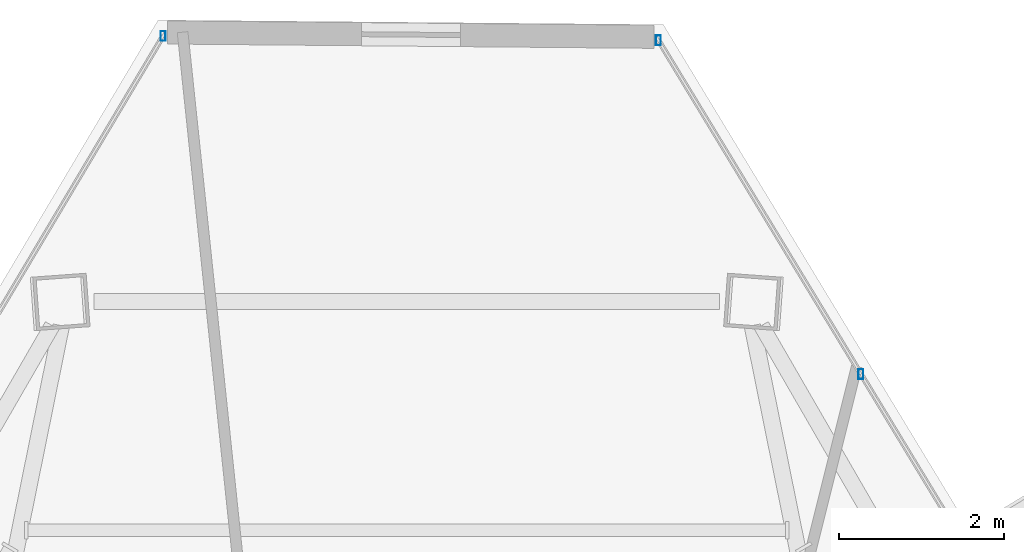
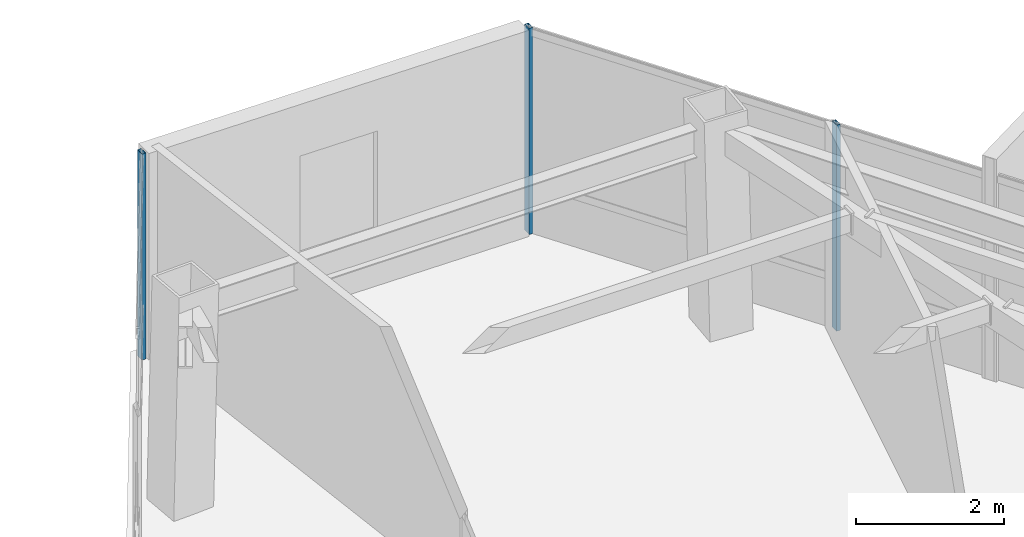
# One storey, part 33 of 45: 3 members, 2 elements without a shape of their own.
"""IFC4 building model written with IfcOpenShell, lengths in metres."""

from ifc_helpers import new_model, si_unit, direction, frame, origin, origin_2d, place, context, subcontext, project, spatial, hollow_rectangle, extrude, source, transform, mapped, material, material_profile, profile_set, type_object, type_shapes, element, aggregate, save


model = new_model("IFC4")

# Units and contexts
model_context = context("Model", 3, precision=1e-05, world=origin(), true_north=direction((0.0, 1.0)))
body_context = subcontext(model_context, "Body", "Model", "MODEL_VIEW")
ifc_project = project(units=[si_unit("LENGTHUNIT", "METRE"), si_unit("AREAUNIT", "SQUARE_METRE"), si_unit("VOLUMEUNIT", "CUBIC_METRE"), si_unit("PLANEANGLEUNIT", "RADIAN"), si_unit("MASSUNIT", "GRAM", prefix="KILO")], contexts=[model_context])

# Site, building, storey
site_placement = place(None, origin())
site = spatial("IfcSite", under=ifc_project, at=site_placement, CompositionType="ELEMENT")
building_placement = place(site_placement, origin())
building = spatial("IfcBuilding", under=site, at=building_placement, Name="Caelisora Broadcast Tower", CompositionType="ELEMENT")
storey_placement = place(building_placement, frame((0.0, 0.0, 240.800048828125)))
storey = spatial("IfcBuildingStorey", under=building, at=storey_placement, Name="L63", CompositionType="ELEMENT", Elevation=240.800048828125)

# Curtain wall, members
ifc_material_1 = material(Name="Unitised Aluminium and Low-E Glass Curtain Wall", Category="glass")
curtain_wall_type = type_object("IfcCurtainWallType", Name="CW-Z5", PredefinedType="NOTDEFINED", material=ifc_material_1)
curtain_wall_1_placement = place(storey_placement, origin())
curtain_wall_1 = element("IfcCurtainWall", 1, at=curtain_wall_1_placement, inside=storey, type_object=curtain_wall_type, Name="L63 curtain wall CW-Z5", PredefinedType="NOTDEFINED")
ifc_material_2 = material(Name="Aluminium 6063-T6 Anodised Terracotta Bronze", Category="aluminium")
ifc_material_profile = material_profile(ifc_material_2, hollow_rectangle(XDim=0.06005859375, YDim=0.1201171875, WallThickness=0.0029296875, at=origin_2d()), Name="Aluminium 6063-T6 Anodised Terracotta Bronze")
ifc_profile_set = profile_set([ifc_material_profile], Name="Aluminium 6063-T6 Anodised Terracotta Bronze")
member_type = type_object("IfcMemberType", Name="CWM-04", PredefinedType="MULLION", material=ifc_profile_set)
shared_shape = source(origin(), body_context, "Body", "SweptSolid", [
    extrude(hollow_rectangle(XDim=0.06005859375, YDim=0.1201171875, WallThickness=0.0029296875, at=origin_2d()), origin(), (0.0, 0.0, 1.0), 3.39990234375),
])
type_shapes(member_type, [shared_shape])
member_1_placement = place(storey_placement, frame((41.052001953125, 49.8212890625, 0.0), z_axis=(0.0, 0.0, 1.0), x_axis=(1.0, 0.0, 0.0)))
member_1 = element("IfcMember", 2, at=member_1_placement, type_object=member_type, Name="L63-CW-B01 mullion #0", PredefinedType="MULLION", context=body_context, shape_type="MappedRepresentation", body=[
    mapped(shared_shape, transform((0.0, 0.0, 0.0), scale=1.0)),
])
member_2_placement = place(storey_placement, frame((43.5078125, 45.772705078125, 0.0), z_axis=(0.0, 0.0, 1.0), x_axis=(1.0, 0.0, 0.0)))
member_2 = element("IfcMember", 3, at=member_2_placement, type_object=member_type, Name="L63-CW-B01 mullion #1", PredefinedType="MULLION", context=body_context, shape_type="MappedRepresentation", body=[
    mapped(shared_shape, transform((0.0, 0.0, 0.0), scale=1.0)),
])
aggregate(curtain_wall_1, [member_1, member_2])

# Curtain wall, member
curtain_wall_2_placement = place(storey_placement, origin())
curtain_wall_2 = element("IfcCurtainWall", 4, at=curtain_wall_2_placement, inside=storey, type_object=curtain_wall_type, Name="L63 curtain wall CW-Z5", PredefinedType="NOTDEFINED")
member_3_placement = place(storey_placement, frame((35.04345703125, 49.8740234375, 0.0), z_axis=(0.0, 0.0, 1.0), x_axis=(1.0, 0.0, 0.0)))
member_3 = element("IfcMember", 5, at=member_3_placement, type_object=member_type, Name="L63-CW-B11 mullion #3", PredefinedType="MULLION", context=body_context, shape_type="MappedRepresentation", body=[
    mapped(shared_shape, transform((0.0, 0.0, 0.0), scale=1.0)),
])
aggregate(curtain_wall_2, [member_3])

save(model, "model.ifc")
